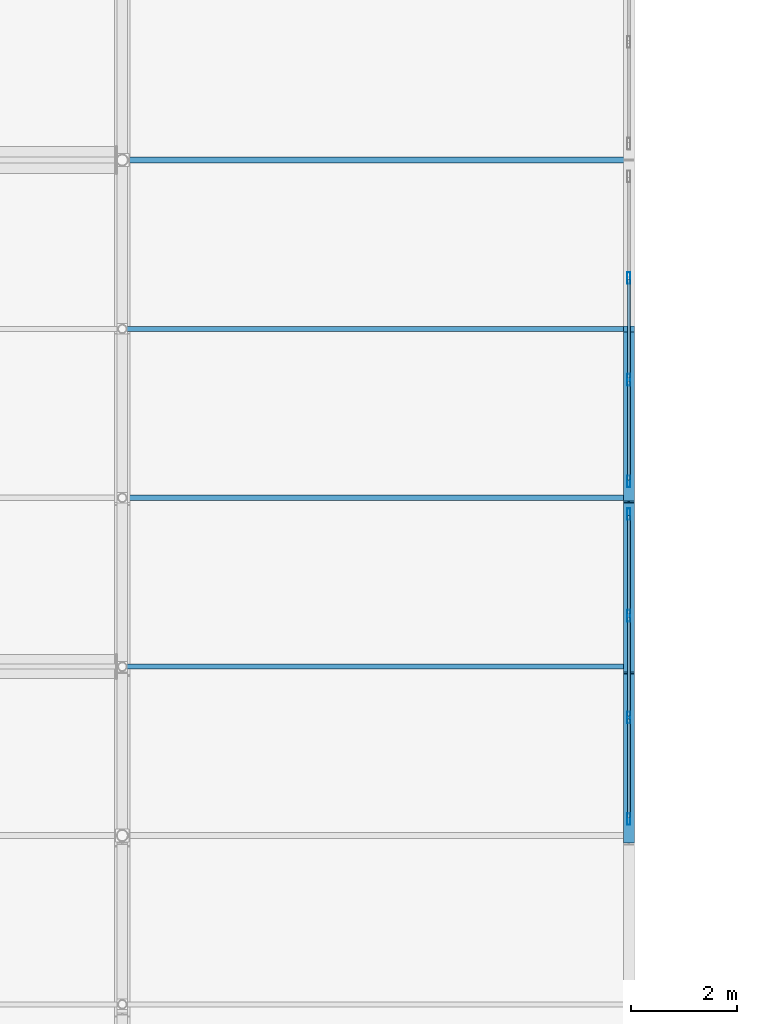
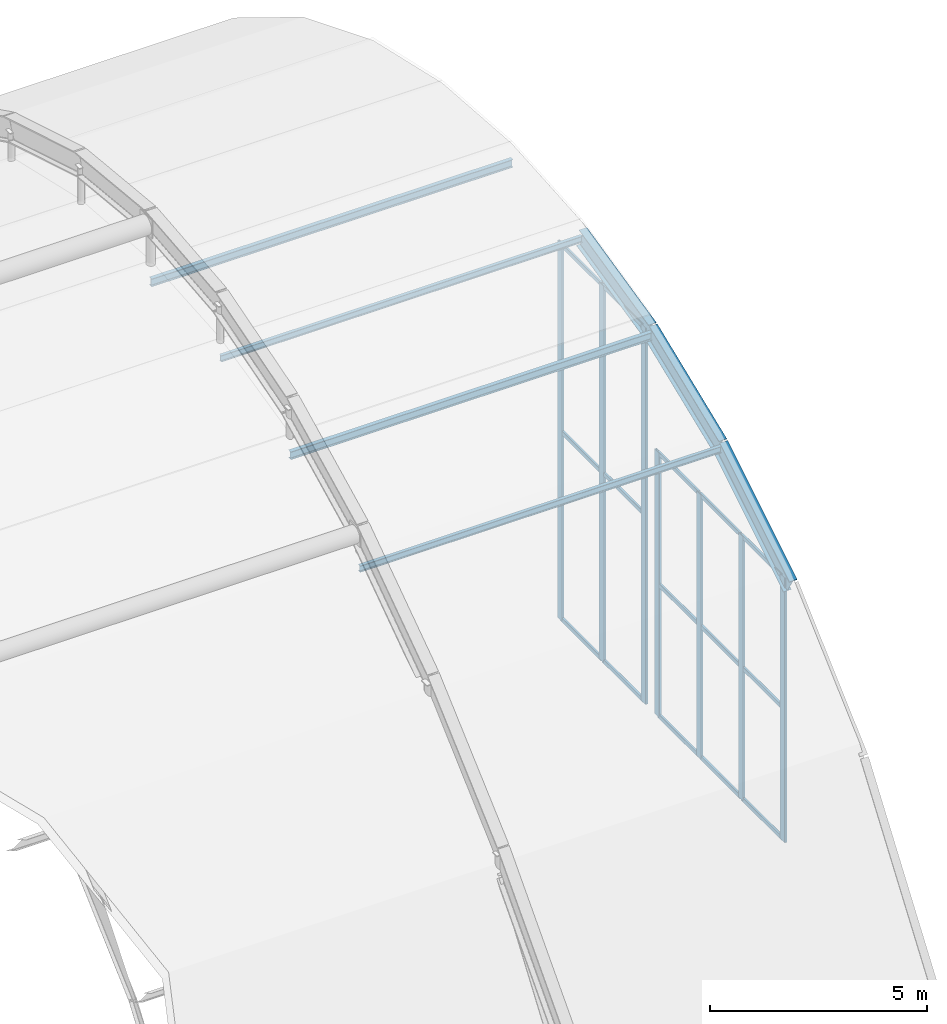
# One storey, part 95 of 126: 26 members, 3 beams, 2 elements without a shape of their own.
"""IFC4 building model written with IfcOpenShell, lengths in metres."""

from ifc_helpers import new_model, si_unit, direction, frame, origin, origin_2d, place, context, subcontext, project, spatial, hollow_rectangle, i_section, extrude, material, material_profile, profile_set, type_object, element, aggregate, save


model = new_model("IFC4")

# Units and contexts
model_context = context("Model", 3, precision=1e-05, world=origin(), true_north=direction((0.0, 1.0)))
body_context = subcontext(model_context, "Body", "Model", "MODEL_VIEW")
ifc_project = project(units=[si_unit("LENGTHUNIT", "METRE"), si_unit("AREAUNIT", "SQUARE_METRE"), si_unit("VOLUMEUNIT", "CUBIC_METRE"), si_unit("PLANEANGLEUNIT", "RADIAN"), si_unit("MASSUNIT", "GRAM", prefix="KILO")], contexts=[model_context])

# Site, building, storey
site_placement = place(None, origin())
site = spatial("IfcSite", under=ifc_project, at=site_placement, CompositionType="ELEMENT")
building_placement = place(site_placement, origin())
building = spatial("IfcBuilding", under=site, at=building_placement, Name="Coralgate Yard Interchange", CompositionType="ELEMENT")
storey_placement = place(building_placement, frame((0.0, 0.0, 10.5)))
storey = spatial("IfcBuildingStorey", under=building, at=storey_placement, Name="L02", CompositionType="ELEMENT", Elevation=10.5)

# Beams
ifc_material_1 = material(Name="Weather-coated structural steel S355J2", Category="steel")
ifc_material_profile_1 = material_profile(ifc_material_1, i_section(OverallWidth=0.209228515625, OverallDepth=0.533203125, WebThickness=0.010009765625, FlangeThickness=0.015625, FilletRadius=0.0126953125, at=origin_2d()), Name="UB 533x210x92")
ifc_profile_set_1 = profile_set([ifc_material_profile_1], Name="Weather-coated structural steel S355J2")
beam_type = type_object("IfcBeamType", Name="BM-VR-1", PredefinedType="BEAM", material=ifc_profile_set_1)
beam_1_placement = place(storey_placement, frame((134.39990234375, 44.800048828125, 7.332763671875), z_axis=(0.0, 0.852378727212, 0.522924951973), x_axis=(-1.0, 0.0, 0.0)))
element("IfcBeam", 1, at=beam_1_placement, inside=storey, type_object=beam_type, Name="Barrel-vault gridshell rib 11 seg 3", PredefinedType="BEAM", context=body_context, shape_type="SweptSolid", body=[
    extrude(i_section(OverallWidth=0.209228515625, OverallDepth=0.533203125, WebThickness=0.010009765625, FlangeThickness=0.015625, FilletRadius=0.0126953125, at=origin_2d()), origin(), (0.0, 0.0, 1.0), 3.754150390625),
])
beam_2_placement = place(storey_placement, frame((134.39990234375, 48.0, 9.2958984375), z_axis=(0.0, 0.927713244188, 0.373293633161), x_axis=(-1.0, 0.0, 0.0)))
element("IfcBeam", 2, at=beam_2_placement, inside=storey, type_object=beam_type, Name="Barrel-vault gridshell rib 11 seg 4", PredefinedType="BEAM", context=body_context, shape_type="SweptSolid", body=[
    extrude(i_section(OverallWidth=0.209228515625, OverallDepth=0.533203125, WebThickness=0.010009765625, FlangeThickness=0.015625, FilletRadius=0.0126953125, at=origin_2d()), origin(), (0.0, 0.0, 1.0), 3.44921875),
])
beam_3_placement = place(storey_placement, frame((134.39990234375, 51.199951171875, 10.58349609375), z_axis=(0.0, 0.974597563071, 0.223963367664), x_axis=(-1.0, 0.0, 0.0)))
element("IfcBeam", 3, at=beam_3_placement, inside=storey, type_object=beam_type, Name="Barrel-vault gridshell rib 11 seg 5", PredefinedType="BEAM", context=body_context, shape_type="SweptSolid", body=[
    extrude(i_section(OverallWidth=0.209228515625, OverallDepth=0.533203125, WebThickness=0.010009765625, FlangeThickness=0.015625, FilletRadius=0.0126953125, at=origin_2d()), origin(), (0.0, 0.0, 1.0), 3.283447265625),
])

# Curtain wall, members
ifc_material_2 = material(Name="Anodised coastal aluminium and solar-control low-E glass", Category="aluminium")
curtain_wall_type_1 = type_object("IfcCurtainWallType", Name="CW-CW-VLT-2", PredefinedType="NOTDEFINED", material=ifc_material_2)
curtain_wall_1_placement = place(storey_placement, origin())
curtain_wall_1 = element("IfcCurtainWall", 4, at=curtain_wall_1_placement, inside=storey, type_object=curtain_wall_type_1, Name="L02 unitised curtain wall CW-VAULT-E-2", PredefinedType="NOTDEFINED")
ifc_material_3 = material(Name="Anodised coastal aluminium 6063-T6", Category="aluminium")
ifc_material_profile_2 = material_profile(ifc_material_3, hollow_rectangle(XDim=0.06005859375, YDim=0.219970703125, WallThickness=0.00390625, InnerFilletRadius=0.00390625, OuterFilletRadius=0.008056640625, at=origin_2d()), Name="ALU 60x220x4")
ifc_profile_set_2 = profile_set([ifc_material_profile_2], Name="Anodised coastal aluminium 6063-T6")
member_type_1 = type_object("IfcMemberType", Name="MB-MUL-220", PredefinedType="MULLION", material=ifc_profile_set_2)
member_1_placement = place(storey_placement, frame((134.39990234375, 50.889892578125, 0.0), z_axis=(0.0, 0.0, 1.0), x_axis=(1.0, 0.0, 0.0)))
member_1 = element("IfcMember", 5, at=member_1_placement, type_object=member_type_1, Name="CW-VAULT-E-2 vertical mullion 1", PredefinedType="MULLION", context=body_context, shape_type="SweptSolid", body=[
    extrude(hollow_rectangle(XDim=0.06005859375, YDim=0.219970703125, WallThickness=0.00390625, InnerFilletRadius=0.00390625, OuterFilletRadius=0.008056640625, at=origin_2d()), origin(), (0.0, 0.0, 1.0), 7.431884765625),
])
member_2_placement = place(storey_placement, frame((134.39990234375, 48.96337890625, 0.0), z_axis=(0.0, 0.0, 1.0), x_axis=(1.0, 0.0, 0.0)))
member_2 = element("IfcMember", 6, at=member_2_placement, type_object=member_type_1, Name="CW-VAULT-E-2 vertical mullion 2", PredefinedType="MULLION", context=body_context, shape_type="SweptSolid", body=[
    extrude(hollow_rectangle(XDim=0.06005859375, YDim=0.219970703125, WallThickness=0.00390625, InnerFilletRadius=0.00390625, OuterFilletRadius=0.008056640625, at=origin_2d()), origin(), (0.0, 0.0, 1.0), 7.431884765625),
])
member_3_placement = place(storey_placement, frame((134.39990234375, 47.03662109375, 0.0), z_axis=(0.0, 0.0, 1.0), x_axis=(1.0, 0.0, 0.0)))
member_3 = element("IfcMember", 7, at=member_3_placement, type_object=member_type_1, Name="CW-VAULT-E-2 vertical mullion 3", PredefinedType="MULLION", context=body_context, shape_type="SweptSolid", body=[
    extrude(hollow_rectangle(XDim=0.06005859375, YDim=0.219970703125, WallThickness=0.00390625, InnerFilletRadius=0.00390625, OuterFilletRadius=0.008056640625, at=origin_2d()), origin(), (0.0, 0.0, 1.0), 7.431884765625),
])
member_4_placement = place(storey_placement, frame((134.39990234375, 45.110107421875, 0.0), z_axis=(0.0, 0.0, 1.0), x_axis=(1.0, 0.0, 0.0)))
member_4 = element("IfcMember", 8, at=member_4_placement, type_object=member_type_1, Name="CW-VAULT-E-2 vertical mullion 4", PredefinedType="MULLION", context=body_context, shape_type="SweptSolid", body=[
    extrude(hollow_rectangle(XDim=0.06005859375, YDim=0.219970703125, WallThickness=0.00390625, InnerFilletRadius=0.00390625, OuterFilletRadius=0.008056640625, at=origin_2d()), origin(), (0.0, 0.0, 1.0), 7.431884765625),
])

curtain_wall_type_2 = type_object("IfcCurtainWallType", Name="CW-CW-VLT-3", PredefinedType="NOTDEFINED", material=ifc_material_2)
curtain_wall_2_placement = place(storey_placement, origin())
curtain_wall_2 = element("IfcCurtainWall", 9, at=curtain_wall_2_placement, inside=storey, type_object=curtain_wall_type_2, Name="L02 unitised curtain wall CW-VAULT-E-3", PredefinedType="NOTDEFINED")
member_5_placement = place(storey_placement, frame((134.39990234375, 55.36328125, 0.0), z_axis=(0.0, 0.0, 1.0), x_axis=(1.0, 0.0, 0.0)))
member_5 = element("IfcMember", 10, at=member_5_placement, type_object=member_type_1, Name="CW-VAULT-E-3 vertical mullion 2", PredefinedType="MULLION", context=body_context, shape_type="SweptSolid", body=[
    extrude(hollow_rectangle(XDim=0.06005859375, YDim=0.219970703125, WallThickness=0.00390625, InnerFilletRadius=0.00390625, OuterFilletRadius=0.008056640625, at=origin_2d()), origin(), (0.0, 0.0, 1.0), 10.575927734375),
])
member_6_placement = place(storey_placement, frame((134.39990234375, 53.436767578125, 0.0), z_axis=(0.0, 0.0, 1.0), x_axis=(1.0, 0.0, 0.0)))
member_6 = element("IfcMember", 11, at=member_6_placement, type_object=member_type_1, Name="CW-VAULT-E-3 vertical mullion 3", PredefinedType="MULLION", context=body_context, shape_type="SweptSolid", body=[
    extrude(hollow_rectangle(XDim=0.06005859375, YDim=0.219970703125, WallThickness=0.00390625, InnerFilletRadius=0.00390625, OuterFilletRadius=0.008056640625, at=origin_2d()), origin(), (0.0, 0.0, 1.0), 10.575927734375),
])
member_7_placement = place(storey_placement, frame((134.39990234375, 51.510009765625, 0.0), z_axis=(0.0, 0.0, 1.0), x_axis=(1.0, 0.0, 0.0)))
member_7 = element("IfcMember", 12, at=member_7_placement, type_object=member_type_1, Name="CW-VAULT-E-3 vertical mullion 4", PredefinedType="MULLION", context=body_context, shape_type="SweptSolid", body=[
    extrude(hollow_rectangle(XDim=0.06005859375, YDim=0.219970703125, WallThickness=0.00390625, InnerFilletRadius=0.00390625, OuterFilletRadius=0.008056640625, at=origin_2d()), origin(), (0.0, 0.0, 1.0), 10.575927734375),
])

# Members
ifc_material_profile_3 = material_profile(ifc_material_1, i_section(OverallWidth=0.110107421875, OverallDepth=0.219970703125, WebThickness=0.005859375, FlangeThickness=0.00927734375, FilletRadius=0.011962890625, at=origin_2d()), Name="IPE 220")
ifc_profile_set_3 = profile_set([ifc_material_profile_3], Name="Weather-coated structural steel S355J2")
member_type_2 = type_object("IfcMemberType", Name="MB-PR-1", PredefinedType="PURLIN", material=ifc_profile_set_3)
for number, where, z_axis, x_axis, name in (
    (13, (124.802001953125, 51.199951171875, 10.489990234375), (1.0, 0.0, 0.0), (0.0, 1.0, 0.0), "Barrel-vault gridshell purlin 10-5"),
    (14, (124.802001953125, 57.60009765625, 11.46484375), (1.0, 0.0, 0.0), (0.0, 1.0, 0.0), "Barrel-vault gridshell purlin 10-7"),
):
    element("IfcMember", number, at=place(storey_placement, frame(where, z_axis=z_axis, x_axis=x_axis)), inside=storey, type_object=member_type_2, Name=name, PredefinedType="PURLIN", context=body_context, shape_type="SweptSolid", body=[
        extrude(i_section(OverallWidth=0.110107421875, OverallDepth=0.219970703125, WebThickness=0.005859375, FlangeThickness=0.00927734375, FilletRadius=0.011962890625, at=origin_2d()), origin(), (0.0, 0.0, 1.0), 9.595947265625),
    ])
ifc_material_4 = material(Name="Off-white architectural structural steel S355J2", Category="steel")
ifc_material_profile_4 = material_profile(ifc_material_4, i_section(OverallWidth=0.091064453125, OverallDepth=0.179931640625, WebThickness=0.00537109375, FlangeThickness=0.008056640625, FilletRadius=0.009033203125, at=origin_2d()), Name="IPE 180")
ifc_profile_set_4 = profile_set([ifc_material_profile_4], Name="Off-white architectural structural steel S355J2")
member_type_3 = type_object("IfcMemberType", Name="MB-PR-2", PredefinedType="PURLIN", material=ifc_profile_set_4)
for number, where, z_axis, x_axis, name in (
    (15, (124.802001953125, 48.0, 9.242431640625), (1.0, 0.0, 0.0), (0.0, 1.0, 0.0), "Barrel-vault gridshell purlin 10-4"),
    (16, (124.802001953125, 54.39990234375, 11.265380859375), (1.0, 0.0, 0.0), (0.0, 1.0, 0.0), "Barrel-vault gridshell purlin 10-6"),
):
    element("IfcMember", number, at=place(storey_placement, frame(where, z_axis=z_axis, x_axis=x_axis)), inside=storey, type_object=member_type_3, Name=name, PredefinedType="PURLIN", context=body_context, shape_type="SweptSolid", body=[
        extrude(i_section(OverallWidth=0.091064453125, OverallDepth=0.179931640625, WebThickness=0.00537109375, FlangeThickness=0.008056640625, FilletRadius=0.009033203125, at=origin_2d()), origin(), (0.0, 0.0, 1.0), 9.595947265625),
    ])

# Member
ifc_material_profile_5 = material_profile(ifc_material_3, hollow_rectangle(XDim=0.06005859375, YDim=0.1201171875, WallThickness=0.00341796875, InnerFilletRadius=0.00341796875, OuterFilletRadius=0.007080078125, at=origin_2d()), Name="ALU 60x120x3.5")
ifc_profile_set_5 = profile_set([ifc_material_profile_5], Name="Anodised coastal aluminium 6063-T6")
member_type_4 = type_object("IfcMemberType", Name="MB-TRN-120", PredefinedType="USERDEFINED", material=ifc_profile_set_5)
member_8_placement = place(storey_placement, frame((134.39990234375, 50.860107421875, 0.034912109375), z_axis=(0.0, -1.0, 0.0), x_axis=(1.0, 0.0, 0.0)))
member_8 = element("IfcMember", 17, at=member_8_placement, type_object=member_type_4, Name="CW-VAULT-E-2 horizontal transom 1-1", ObjectType="TRANSOM", PredefinedType="USERDEFINED", context=body_context, shape_type="SweptSolid", body=[
    extrude(hollow_rectangle(XDim=0.06005859375, YDim=0.1201171875, WallThickness=0.00341796875, InnerFilletRadius=0.00341796875, OuterFilletRadius=0.007080078125, at=origin_2d()), origin(), (0.0, 0.0, 1.0), 1.86669921875),
])

member_9_placement = place(storey_placement, frame((134.39990234375, 50.860107421875, 3.716064453125), z_axis=(0.0, -1.0, 0.0), x_axis=(1.0, 0.0, 0.0)))
member_9 = element("IfcMember", 18, at=member_9_placement, type_object=member_type_4, Name="CW-VAULT-E-2 horizontal transom 1-2", ObjectType="TRANSOM", PredefinedType="USERDEFINED", context=body_context, shape_type="SweptSolid", body=[
    extrude(hollow_rectangle(XDim=0.06005859375, YDim=0.1201171875, WallThickness=0.00341796875, InnerFilletRadius=0.00341796875, OuterFilletRadius=0.007080078125, at=origin_2d()), origin(), (0.0, 0.0, 1.0), 1.86669921875),
])

member_10_placement = place(storey_placement, frame((134.39990234375, 50.860107421875, 7.39697265625), z_axis=(0.0, -1.0, 0.0), x_axis=(1.0, 0.0, 0.0)))
member_10 = element("IfcMember", 19, at=member_10_placement, type_object=member_type_4, Name="CW-VAULT-E-2 horizontal transom 1-3", ObjectType="TRANSOM", PredefinedType="USERDEFINED", context=body_context, shape_type="SweptSolid", body=[
    extrude(hollow_rectangle(XDim=0.06005859375, YDim=0.1201171875, WallThickness=0.00341796875, InnerFilletRadius=0.00341796875, OuterFilletRadius=0.007080078125, at=origin_2d()), origin(), (0.0, 0.0, 1.0), 1.86669921875),
])

member_11_placement = place(storey_placement, frame((134.39990234375, 48.933349609375, 0.034912109375), z_axis=(0.0, -1.0, 0.0), x_axis=(1.0, 0.0, 0.0)))
member_11 = element("IfcMember", 20, at=member_11_placement, type_object=member_type_4, Name="CW-VAULT-E-2 horizontal transom 2-1", ObjectType="TRANSOM", PredefinedType="USERDEFINED", context=body_context, shape_type="SweptSolid", body=[
    extrude(hollow_rectangle(XDim=0.06005859375, YDim=0.1201171875, WallThickness=0.00341796875, InnerFilletRadius=0.00341796875, OuterFilletRadius=0.007080078125, at=origin_2d()), origin(), (0.0, 0.0, 1.0), 1.86669921875),
])

member_12_placement = place(storey_placement, frame((134.39990234375, 48.933349609375, 3.716064453125), z_axis=(0.0, -1.0, 0.0), x_axis=(1.0, 0.0, 0.0)))
member_12 = element("IfcMember", 21, at=member_12_placement, type_object=member_type_4, Name="CW-VAULT-E-2 horizontal transom 2-2", ObjectType="TRANSOM", PredefinedType="USERDEFINED", context=body_context, shape_type="SweptSolid", body=[
    extrude(hollow_rectangle(XDim=0.06005859375, YDim=0.1201171875, WallThickness=0.00341796875, InnerFilletRadius=0.00341796875, OuterFilletRadius=0.007080078125, at=origin_2d()), origin(), (0.0, 0.0, 1.0), 1.86669921875),
])

member_13_placement = place(storey_placement, frame((134.39990234375, 48.933349609375, 7.39697265625), z_axis=(0.0, -1.0, 0.0), x_axis=(1.0, 0.0, 0.0)))
member_13 = element("IfcMember", 22, at=member_13_placement, type_object=member_type_4, Name="CW-VAULT-E-2 horizontal transom 2-3", ObjectType="TRANSOM", PredefinedType="USERDEFINED", context=body_context, shape_type="SweptSolid", body=[
    extrude(hollow_rectangle(XDim=0.06005859375, YDim=0.1201171875, WallThickness=0.00341796875, InnerFilletRadius=0.00341796875, OuterFilletRadius=0.007080078125, at=origin_2d()), origin(), (0.0, 0.0, 1.0), 1.86669921875),
])

member_14_placement = place(storey_placement, frame((134.39990234375, 47.006591796875, 0.034912109375), z_axis=(0.0, -1.0, 0.0), x_axis=(1.0, 0.0, 0.0)))
member_14 = element("IfcMember", 23, at=member_14_placement, type_object=member_type_4, Name="CW-VAULT-E-2 horizontal transom 3-1", ObjectType="TRANSOM", PredefinedType="USERDEFINED", context=body_context, shape_type="SweptSolid", body=[
    extrude(hollow_rectangle(XDim=0.06005859375, YDim=0.1201171875, WallThickness=0.00341796875, InnerFilletRadius=0.00341796875, OuterFilletRadius=0.007080078125, at=origin_2d()), origin(), (0.0, 0.0, 1.0), 1.86669921875),
])

member_15_placement = place(storey_placement, frame((134.39990234375, 47.006591796875, 3.716064453125), z_axis=(0.0, -1.0, 0.0), x_axis=(1.0, 0.0, 0.0)))
member_15 = element("IfcMember", 24, at=member_15_placement, type_object=member_type_4, Name="CW-VAULT-E-2 horizontal transom 3-2", ObjectType="TRANSOM", PredefinedType="USERDEFINED", context=body_context, shape_type="SweptSolid", body=[
    extrude(hollow_rectangle(XDim=0.06005859375, YDim=0.1201171875, WallThickness=0.00341796875, InnerFilletRadius=0.00341796875, OuterFilletRadius=0.007080078125, at=origin_2d()), origin(), (0.0, 0.0, 1.0), 1.86669921875),
])

member_16_placement = place(storey_placement, frame((134.39990234375, 47.006591796875, 7.39697265625), z_axis=(0.0, -1.0, 0.0), x_axis=(1.0, 0.0, 0.0)))
member_16 = element("IfcMember", 25, at=member_16_placement, type_object=member_type_4, Name="CW-VAULT-E-2 horizontal transom 3-3", ObjectType="TRANSOM", PredefinedType="USERDEFINED", context=body_context, shape_type="SweptSolid", body=[
    extrude(hollow_rectangle(XDim=0.06005859375, YDim=0.1201171875, WallThickness=0.00341796875, InnerFilletRadius=0.00341796875, OuterFilletRadius=0.007080078125, at=origin_2d()), origin(), (0.0, 0.0, 1.0), 1.86669921875),
])

aggregate(curtain_wall_1, [member_1, member_2, member_3, member_4, member_8, member_9, member_10, member_11, member_12, member_13, member_14, member_15, member_16])

member_17_placement = place(storey_placement, frame((134.39990234375, 55.333251953125, 0.034912109375), z_axis=(0.0, -1.0, 0.0), x_axis=(1.0, 0.0, 0.0)))
member_17 = element("IfcMember", 26, at=member_17_placement, type_object=member_type_4, Name="CW-VAULT-E-3 horizontal transom 2-1", ObjectType="TRANSOM", PredefinedType="USERDEFINED", context=body_context, shape_type="SweptSolid", body=[
    extrude(hollow_rectangle(XDim=0.06005859375, YDim=0.1201171875, WallThickness=0.00341796875, InnerFilletRadius=0.00341796875, OuterFilletRadius=0.007080078125, at=origin_2d()), origin(), (0.0, 0.0, 1.0), 1.86669921875),
])

member_18_placement = place(storey_placement, frame((134.39990234375, 55.333251953125, 5.2880859375), z_axis=(0.0, -1.0, 0.0), x_axis=(1.0, 0.0, 0.0)))
member_18 = element("IfcMember", 27, at=member_18_placement, type_object=member_type_4, Name="CW-VAULT-E-3 horizontal transom 2-2", ObjectType="TRANSOM", PredefinedType="USERDEFINED", context=body_context, shape_type="SweptSolid", body=[
    extrude(hollow_rectangle(XDim=0.06005859375, YDim=0.1201171875, WallThickness=0.00341796875, InnerFilletRadius=0.00341796875, OuterFilletRadius=0.007080078125, at=origin_2d()), origin(), (0.0, 0.0, 1.0), 1.86669921875),
])

member_19_placement = place(storey_placement, frame((134.39990234375, 55.333251953125, 10.541015625), z_axis=(0.0, -1.0, 0.0), x_axis=(1.0, 0.0, 0.0)))
member_19 = element("IfcMember", 28, at=member_19_placement, type_object=member_type_4, Name="CW-VAULT-E-3 horizontal transom 2-3", ObjectType="TRANSOM", PredefinedType="USERDEFINED", context=body_context, shape_type="SweptSolid", body=[
    extrude(hollow_rectangle(XDim=0.06005859375, YDim=0.1201171875, WallThickness=0.00341796875, InnerFilletRadius=0.00341796875, OuterFilletRadius=0.007080078125, at=origin_2d()), origin(), (0.0, 0.0, 1.0), 1.86669921875),
])

member_20_placement = place(storey_placement, frame((134.39990234375, 53.40673828125, 0.034912109375), z_axis=(0.0, -1.0, 0.0), x_axis=(1.0, 0.0, 0.0)))
member_20 = element("IfcMember", 29, at=member_20_placement, type_object=member_type_4, Name="CW-VAULT-E-3 horizontal transom 3-1", ObjectType="TRANSOM", PredefinedType="USERDEFINED", context=body_context, shape_type="SweptSolid", body=[
    extrude(hollow_rectangle(XDim=0.06005859375, YDim=0.1201171875, WallThickness=0.00341796875, InnerFilletRadius=0.00341796875, OuterFilletRadius=0.007080078125, at=origin_2d()), origin(), (0.0, 0.0, 1.0), 1.86669921875),
])

member_21_placement = place(storey_placement, frame((134.39990234375, 53.40673828125, 5.2880859375), z_axis=(0.0, -1.0, 0.0), x_axis=(1.0, 0.0, 0.0)))
member_21 = element("IfcMember", 30, at=member_21_placement, type_object=member_type_4, Name="CW-VAULT-E-3 horizontal transom 3-2", ObjectType="TRANSOM", PredefinedType="USERDEFINED", context=body_context, shape_type="SweptSolid", body=[
    extrude(hollow_rectangle(XDim=0.06005859375, YDim=0.1201171875, WallThickness=0.00341796875, InnerFilletRadius=0.00341796875, OuterFilletRadius=0.007080078125, at=origin_2d()), origin(), (0.0, 0.0, 1.0), 1.86669921875),
])

member_22_placement = place(storey_placement, frame((134.39990234375, 53.40673828125, 10.541015625), z_axis=(0.0, -1.0, 0.0), x_axis=(1.0, 0.0, 0.0)))
member_22 = element("IfcMember", 31, at=member_22_placement, type_object=member_type_4, Name="CW-VAULT-E-3 horizontal transom 3-3", ObjectType="TRANSOM", PredefinedType="USERDEFINED", context=body_context, shape_type="SweptSolid", body=[
    extrude(hollow_rectangle(XDim=0.06005859375, YDim=0.1201171875, WallThickness=0.00341796875, InnerFilletRadius=0.00341796875, OuterFilletRadius=0.007080078125, at=origin_2d()), origin(), (0.0, 0.0, 1.0), 1.86669921875),
])

aggregate(curtain_wall_2, [member_5, member_6, member_7, member_17, member_18, member_19, member_20, member_21, member_22])

save(model, "model.ifc")
